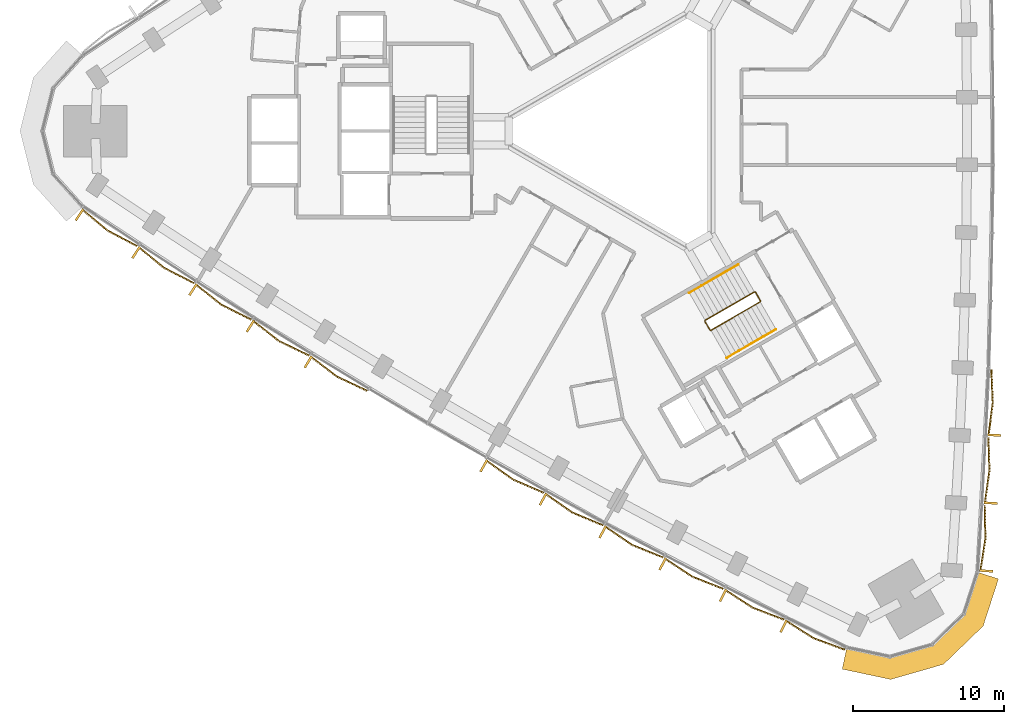
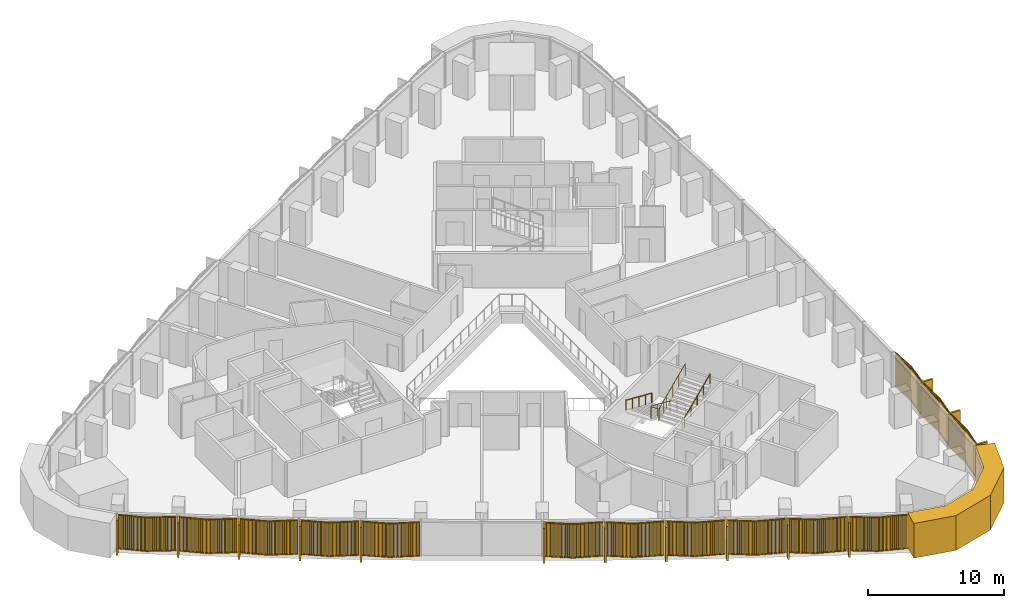
# One storey, part 13 of 15: 15 coverings, 3 railings.
"""IFC4 building model written with IfcOpenShell, lengths in metres."""

from ifc_helpers import new_model, si_unit, direction, frame, frame_2d, origin, origin_2d, place, context, subcontext, project, spatial, polyline, rectangle, circle, outline, extrude, source, transform, mapped, material, layer, layer_set, type_object, element, save


model = new_model("IFC4")

# Units and contexts
model_context = context("Model", 3, precision=1e-05, world=origin(), true_north=direction((0.0, 1.0)))
body_context = subcontext(model_context, "Body", "Model", "MODEL_VIEW")
ifc_project = project(units=[si_unit("LENGTHUNIT", "METRE"), si_unit("AREAUNIT", "SQUARE_METRE"), si_unit("VOLUMEUNIT", "CUBIC_METRE"), si_unit("PLANEANGLEUNIT", "RADIAN"), si_unit("MASSUNIT", "GRAM", prefix="KILO")], contexts=[model_context])

# Site, building, storey
site_placement = place(None, origin())
site = spatial("IfcSite", under=ifc_project, at=site_placement, CompositionType="ELEMENT")
building_placement = place(site_placement, origin())
building = spatial("IfcBuilding", under=site, at=building_placement, Name="Tamra Quay Hotel Tower", CompositionType="ELEMENT")
storey_placement = place(building_placement, frame((0.0, 0.0, 42.199951171875)))
storey = spatial("IfcBuildingStorey", under=building, at=storey_placement, Name="L08", CompositionType="ELEMENT", Elevation=42.199951171875)

# Covering
ifc_material_1 = material(Name="Precast concrete M60 terracotta-coloured", Category="masonry")
ifc_layer = layer(ifc_material_1, 1.449951171875)
ifc_layer_set = layer_set([ifc_layer], Name="CORNER PIER PANEL")
covering_type_1 = type_object("IfcCoveringType", Name="CORNER PIER PANEL", PredefinedType="CLADDING", material=ifc_layer_set)
covering_placement = place(storey_placement, origin())
element("IfcCovering", 1, at=covering_placement, inside=storey, type_object=covering_type_1, Name="Corner pier L08.south-west", PredefinedType="CLADDING", context=body_context, shape_type="SweptSolid", body=[
    extrude(outline(polyline([(13.948974609375, -34.148193359375), (13.6474609375, -35.56640625), (16.85205078125, -36.24755859375), (20.3486328125, -35.244873046875), (22.96533203125, -32.718017578125), (23.977783203125, -29.602294921875), (22.598876953125, -29.154296875), (21.697998046875, -31.926025390625), (19.601318359375, -33.95068359375), (16.7998046875, -34.754150390625), (13.948974609375, -34.148193359375)])), origin(), (0.0, 0.0, 1.0), 3.125),
])

# Railings
ifc_material_2 = material(Name="Stair guard 1100")
railing_type_1 = type_object("IfcRailingType", Name="Stair guard 1100", PredefinedType="GUARDRAIL", material=ifc_material_2)
railing_1_placement = place(storey_placement, frame((8.245849609375, -11.221923828125, 0.0)))
element("IfcRailing", 2, at=railing_1_placement, inside=storey, type_object=railing_type_1, Name="GR", PredefinedType="GUARDRAIL", context=body_context, shape_type="SweptSolid", body=[
    extrude(circle(Radius=0.02392578125, at=origin_2d()), frame((0.0, 0.0, 1.076171875), z_axis=(-0.500043078269, 0.866000531106, 0.0), x_axis=(-0.866000531106, -0.500043078269, 0.0)), (0.0, 0.0, 1.0), 0.6591796875),
    extrude(circle(Radius=0.02392578125, at=origin_2d()), frame((-0.32958984375, 0.57080078125, 1.076171875), z_axis=(-0.411831509231, 0.110312011401, 0.90455849349), x_axis=(-0.258736085224, -0.965948051503, 0.0)), (0.0, 0.0, 1.0), 0.166015625),
    extrude(circle(Radius=0.02392578125, at=origin_2d()), frame((-0.39794921875, 0.589111328125, 1.22607421875), z_axis=(-0.793100512587, -0.457912285461, 0.401631567183), x_axis=(0.500012686397, -0.866018079166, 0.0)), (0.0, 0.0, 1.0), 4.10791015625),
    extrude(circle(Radius=0.02392578125, at=origin_2d()), frame((-3.656005859375, -1.2919921875, 2.8759765625), z_axis=(-0.256368644879, -0.966579080015, 0.0), x_axis=(0.966579080015, -0.256368644879, 0.0)), (0.0, 0.0, 1.0), 0.070556640625),
    extrude(circle(Radius=0.02392578125, at=origin_2d()), frame((-3.674072265625, -1.360107421875, 2.8759765625), z_axis=(0.499765215335, -0.866160914346, 0.0), x_axis=(0.866160914346, 0.499765215335, 0.0)), (0.0, 0.0, 1.0), 0.658935546875),
    extrude(circle(Radius=0.02392578125, at=origin_2d()), frame((-3.3447265625, -1.930908203125, 2.8759765625), z_axis=(0.41238007866, -0.110458949641, 0.904290601062), x_axis=(0.258736085224, 0.965948051503, 0.0)), (0.0, 0.0, 1.0), 0.165771484375),
    extrude(circle(Radius=0.02392578125, at=origin_2d()), frame((-3.2763671875, -1.94921875, 3.02587890625), z_axis=(0.793081581205, 0.457901355053, 0.401681409319), x_axis=(-0.500012686397, 0.866018079166, 0.0)), (0.0, 0.0, 1.0), 4.108154296875),
    extrude(circle(Radius=0.02099609375, at=origin_2d()), origin(), (0.0, 0.0, 1.0), 1.052001953125),
    extrude(circle(Radius=0.02099609375, at=origin_2d()), frame((-0.32958984375, 0.57080078125, 0.0)), (0.0, 0.0, 1.0), 1.052001953125),
    extrude(circle(Radius=0.02099609375, at=origin_2d()), frame((-0.39794921875, 0.589111328125, 0.150146484375)), (0.0, 0.0, 1.0), 1.052001953125),
    extrude(circle(Radius=0.02099609375, at=origin_2d()), frame((-1.21240234375, 0.118896484375, 0.5625)), (0.0, 0.0, 1.0), 1.052001953125),
    extrude(circle(Radius=0.02099609375, at=origin_2d()), frame((-2.02685546875, -0.3515625, 0.97509765625)), (0.0, 0.0, 1.0), 1.052001953125),
    extrude(circle(Radius=0.02099609375, at=origin_2d()), frame((-2.841552734375, -0.82177734375, 1.3876953125)), (0.0, 0.0, 1.0), 1.052001953125),
    extrude(circle(Radius=0.02099609375, at=origin_2d()), frame((-3.656005859375, -1.2919921875, 1.800048828125)), (0.0, 0.0, 1.0), 1.052001953125),
    extrude(circle(Radius=0.02099609375, at=origin_2d()), frame((-3.674072265625, -1.360107421875, 1.800048828125)), (0.0, 0.0, 1.0), 1.052001953125),
    extrude(circle(Radius=0.02099609375, at=origin_2d()), frame((-3.3447265625, -1.930908203125, 1.800048828125)), (0.0, 0.0, 1.0), 1.052001953125),
    extrude(circle(Radius=0.02099609375, at=origin_2d()), frame((-3.2763671875, -1.94921875, 1.949951171875)), (0.0, 0.0, 1.0), 1.052001953125),
    extrude(circle(Radius=0.02099609375, at=origin_2d()), frame((-2.4619140625, -1.47900390625, 2.362548828125)), (0.0, 0.0, 1.0), 1.052001953125),
    extrude(circle(Radius=0.02099609375, at=origin_2d()), frame((-1.6474609375, -1.0087890625, 2.77490234375)), (0.0, 0.0, 1.0), 1.052001953125),
    extrude(circle(Radius=0.02099609375, at=origin_2d()), frame((-0.832763671875, -0.538330078125, 3.1875)), (0.0, 0.0, 1.0), 1.052001953125),
    extrude(circle(Radius=0.02099609375, at=origin_2d()), frame((-0.018310546875, -0.068115234375, 3.60009765625)), (0.0, 0.0, 1.0), 1.052001953125),
])
ifc_material_3 = material(Name="Stair handrail 900")
railing_type_2 = type_object("IfcRailingType", Name="Stair handrail 900", PredefinedType="HANDRAIL", material=ifc_material_3)
railing_2_placement = place(storey_placement, frame((6.7978515625, -8.814208984375, 0.150146484375)))
element("IfcRailing", 3, at=railing_2_placement, inside=storey, type_object=railing_type_2, Name="HR", PredefinedType="HANDRAIL", context=body_context, shape_type="SweptSolid", body=[
    extrude(circle(Radius=0.02392578125, at=origin_2d()), frame((0.0, 0.0, 0.8759765625), z_axis=(-0.79310004713, -0.457886897714, 0.401661429744), x_axis=(0.499992114976, -0.866029956157, 0.0)), (0.0, 0.0, 1.0), 4.107666015625),
    extrude(circle(Radius=0.02099609375, at=origin_2d()), origin(), (0.0, 0.0, 1.0), 0.851806640625),
    extrude(circle(Radius=0.02099609375, at=origin_2d()), frame((-0.814453125, -0.47021484375, 0.41259765625)), (0.0, 0.0, 1.0), 0.851806640625),
    extrude(circle(Radius=0.02099609375, at=origin_2d()), frame((-1.62890625, -0.9404296875, 0.824951171875)), (0.0, 0.0, 1.0), 0.851806640625),
    extrude(circle(Radius=0.02099609375, at=origin_2d()), frame((-2.443359375, -1.41064453125, 1.2373046875)), (0.0, 0.0, 1.0), 0.851806640625),
    extrude(circle(Radius=0.02099609375, at=origin_2d()), frame((-3.2578125, -1.880859375, 1.64990234375)), (0.0, 0.0, 1.0), 0.851806640625),
])
railing_3_placement = place(storey_placement, frame((6.01953125, -14.98974609375, 1.949951171875)))
element("IfcRailing", 4, at=railing_3_placement, inside=storey, type_object=railing_type_2, Name="HR", PredefinedType="HANDRAIL", context=body_context, shape_type="SweptSolid", body=[
    extrude(circle(Radius=0.02392578125, at=origin_2d()), frame((0.0, 0.0, 0.8759765625), z_axis=(0.793081112945, 0.457875966286, 0.40171127416), x_axis=(-0.499992114976, 0.866029956157, 0.0)), (0.0, 0.0, 1.0), 4.10791015625),
    extrude(circle(Radius=0.02099609375, at=origin_2d()), origin(), (0.0, 0.0, 1.0), 0.851806640625),
    extrude(circle(Radius=0.02099609375, at=origin_2d()), frame((0.814453125, 0.47021484375, 0.41259765625)), (0.0, 0.0, 1.0), 0.851806640625),
    extrude(circle(Radius=0.02099609375, at=origin_2d()), frame((1.62890625, 0.9404296875, 0.8251953125)), (0.0, 0.0, 1.0), 0.851806640625),
    extrude(circle(Radius=0.02099609375, at=origin_2d()), frame((2.443359375, 1.41064453125, 1.237548828125)), (0.0, 0.0, 1.0), 0.851806640625),
    extrude(circle(Radius=0.02099609375, at=origin_2d()), frame((3.2578125, 1.880859375, 1.650146484375)), (0.0, 0.0, 1.0), 0.851806640625),
])

# Coverings
ifc_material_4 = material(Name="Terracotta baguette extruded", Category="masonry")
covering_type_2 = type_object("IfcCoveringType", Name="BAGUETTE SCREEN E-V H3125", PredefinedType="USERDEFINED", material=ifc_material_4)
shared_shape_1 = source(origin(), body_context, "Body", "SweptSolid", [
    extrude(rectangle(XDim=2.2109375, YDim=0.06005859375, at=frame_2d((1.10546875, 0.030029296875))), frame((-2.207763671875, -0.057861328125, -0.1201171875), z_axis=(0.0, 0.0, 1.0), x_axis=(0.996194698092, -0.087155742748, 0.0)), (0.0, 0.0, 1.0), 0.1201171875),
    extrude(rectangle(XDim=2.2109375, YDim=0.06005859375, at=frame_2d((1.10546875, 0.030029296875))), frame((-2.207763671875, -0.057861328125, -3.125), z_axis=(0.0, 0.0, 1.0), x_axis=(0.996194698092, -0.087155742748, 0.0)), (0.0, 0.0, 1.0), 0.1201171875),
    extrude(rectangle(XDim=0.070068359375, YDim=0.10009765625, at=frame_2d((0.03515625, 0.050048828125))), frame((-2.1875, -0.13232421875, -3.06494140625)), (0.0, 0.0, 1.0), 3.0048828125),
    extrude(rectangle(XDim=0.070068359375, YDim=0.10009765625, at=frame_2d((0.03515625, 0.050048828125))), frame((-2.08740234375, -0.14111328125, -3.06494140625)), (0.0, 0.0, 1.0), 3.0048828125),
    extrude(rectangle(XDim=0.070068359375, YDim=0.10009765625, at=frame_2d((0.03515625, 0.050048828125))), frame((-1.9873046875, -0.14990234375, -3.06494140625)), (0.0, 0.0, 1.0), 3.0048828125),
    extrude(rectangle(XDim=0.070068359375, YDim=0.10009765625, at=frame_2d((0.03515625, 0.050048828125))), frame((-1.88720703125, -0.15869140625, -3.06494140625)), (0.0, 0.0, 1.0), 3.0048828125),
    extrude(rectangle(XDim=0.070068359375, YDim=0.10009765625, at=frame_2d((0.03515625, 0.050048828125))), frame((-1.787109375, -0.16748046875, -3.06494140625)), (0.0, 0.0, 1.0), 3.0048828125),
    extrude(rectangle(XDim=0.070068359375, YDim=0.10009765625, at=frame_2d((0.03515625, 0.050048828125))), frame((-1.686767578125, -0.17626953125, -3.06494140625)), (0.0, 0.0, 1.0), 3.0048828125),
    extrude(rectangle(XDim=0.070068359375, YDim=0.10009765625, at=frame_2d((0.03515625, 0.050048828125))), frame((-1.586669921875, -0.184814453125, -3.06494140625)), (0.0, 0.0, 1.0), 3.0048828125),
    extrude(rectangle(XDim=0.070068359375, YDim=0.10009765625, at=frame_2d((0.03515625, 0.050048828125))), frame((-1.486572265625, -0.193603515625, -3.06494140625)), (0.0, 0.0, 1.0), 3.0048828125),
    extrude(rectangle(XDim=0.070068359375, YDim=0.10009765625, at=frame_2d((0.03515625, 0.050048828125))), frame((-1.386474609375, -0.202392578125, -3.06494140625)), (0.0, 0.0, 1.0), 3.0048828125),
    extrude(rectangle(XDim=0.070068359375, YDim=0.10009765625, at=frame_2d((0.03515625, 0.050048828125))), frame((-1.286376953125, -0.211181640625, -3.06494140625)), (0.0, 0.0, 1.0), 3.0048828125),
    extrude(rectangle(XDim=0.070068359375, YDim=0.10009765625, at=frame_2d((0.03515625, 0.050048828125))), frame((-1.186279296875, -0.219970703125, -3.06494140625)), (0.0, 0.0, 1.0), 3.0048828125),
    extrude(rectangle(XDim=0.070068359375, YDim=0.10009765625, at=frame_2d((0.03515625, 0.050048828125))), frame((-1.086181640625, -0.228759765625, -3.06494140625)), (0.0, 0.0, 1.0), 3.0048828125),
    extrude(rectangle(XDim=0.070068359375, YDim=0.10009765625, at=frame_2d((0.03515625, 0.050048828125))), frame((-0.986083984375, -0.237548828125, -3.06494140625)), (0.0, 0.0, 1.0), 3.0048828125),
    extrude(rectangle(XDim=0.070068359375, YDim=0.10009765625, at=frame_2d((0.03515625, 0.050048828125))), frame((-0.885986328125, -0.246337890625, -3.06494140625)), (0.0, 0.0, 1.0), 3.0048828125),
    extrude(rectangle(XDim=0.070068359375, YDim=0.10009765625, at=frame_2d((0.03515625, 0.050048828125))), frame((-0.785888671875, -0.2548828125, -3.06494140625)), (0.0, 0.0, 1.0), 3.0048828125),
    extrude(rectangle(XDim=0.070068359375, YDim=0.10009765625, at=frame_2d((0.03515625, 0.050048828125))), frame((-0.685791015625, -0.263671875, -3.06494140625)), (0.0, 0.0, 1.0), 3.0048828125),
    extrude(rectangle(XDim=0.070068359375, YDim=0.10009765625, at=frame_2d((0.03515625, 0.050048828125))), frame((-0.585693359375, -0.2724609375, -3.06494140625)), (0.0, 0.0, 1.0), 3.0048828125),
    extrude(rectangle(XDim=0.070068359375, YDim=0.10009765625, at=frame_2d((0.03515625, 0.050048828125))), frame((-0.485595703125, -0.28125, -3.06494140625)), (0.0, 0.0, 1.0), 3.0048828125),
    extrude(rectangle(XDim=0.070068359375, YDim=0.10009765625, at=frame_2d((0.03515625, 0.050048828125))), frame((-0.385498046875, -0.2900390625, -3.06494140625)), (0.0, 0.0, 1.0), 3.0048828125),
    extrude(rectangle(XDim=0.070068359375, YDim=0.10009765625, at=frame_2d((0.03515625, 0.050048828125))), frame((-0.285400390625, -0.298828125, -3.06494140625)), (0.0, 0.0, 1.0), 3.0048828125),
    extrude(rectangle(XDim=0.070068359375, YDim=0.10009765625, at=frame_2d((0.03515625, 0.050048828125))), frame((-0.18505859375, -0.3076171875, -3.06494140625)), (0.0, 0.0, 1.0), 3.0048828125),
    extrude(rectangle(XDim=0.070068359375, YDim=0.10009765625, at=frame_2d((0.03515625, 0.050048828125))), frame((-0.0849609375, -0.31640625, -3.06494140625)), (0.0, 0.0, 1.0), 3.0048828125),
    extrude(rectangle(XDim=2.2109375, YDim=0.06005859375, at=frame_2d((1.10546875, 0.030029296875))), frame((0.005126953125, -0.25048828125, -0.1201171875), z_axis=(0.0, 0.0, 1.0), x_axis=(0.996194698092, 0.087155742748, 0.0)), (0.0, 0.0, 1.0), 0.1201171875),
    extrude(rectangle(XDim=2.2109375, YDim=0.06005859375, at=frame_2d((1.10546875, 0.030029296875))), frame((0.005126953125, -0.25048828125, -3.125), z_axis=(0.0, 0.0, 1.0), x_axis=(0.996194698092, 0.087155742748, 0.0)), (0.0, 0.0, 1.0), 0.1201171875),
    extrude(rectangle(XDim=0.070068359375, YDim=0.10009765625, at=frame_2d((0.03515625, 0.050048828125))), frame((0.01513671875, -0.31640625, -3.06494140625)), (0.0, 0.0, 1.0), 3.0048828125),
    extrude(rectangle(XDim=0.070068359375, YDim=0.10009765625, at=frame_2d((0.03515625, 0.050048828125))), frame((0.115234375, -0.3076171875, -3.06494140625)), (0.0, 0.0, 1.0), 3.0048828125),
    extrude(rectangle(XDim=0.070068359375, YDim=0.10009765625, at=frame_2d((0.03515625, 0.050048828125))), frame((0.21533203125, -0.298828125, -3.06494140625)), (0.0, 0.0, 1.0), 3.0048828125),
    extrude(rectangle(XDim=0.070068359375, YDim=0.10009765625, at=frame_2d((0.03515625, 0.050048828125))), frame((0.3154296875, -0.2900390625, -3.06494140625)), (0.0, 0.0, 1.0), 3.0048828125),
    extrude(rectangle(XDim=0.070068359375, YDim=0.10009765625, at=frame_2d((0.03515625, 0.050048828125))), frame((0.41552734375, -0.28125, -3.06494140625)), (0.0, 0.0, 1.0), 3.0048828125),
    extrude(rectangle(XDim=0.070068359375, YDim=0.10009765625, at=frame_2d((0.03515625, 0.050048828125))), frame((0.515625, -0.2724609375, -3.06494140625)), (0.0, 0.0, 1.0), 3.0048828125),
    extrude(rectangle(XDim=0.070068359375, YDim=0.10009765625, at=frame_2d((0.03515625, 0.050048828125))), frame((0.61572265625, -0.263671875, -3.06494140625)), (0.0, 0.0, 1.0), 3.0048828125),
    extrude(rectangle(XDim=0.070068359375, YDim=0.10009765625, at=frame_2d((0.03515625, 0.050048828125))), frame((0.7158203125, -0.2548828125, -3.06494140625)), (0.0, 0.0, 1.0), 3.0048828125),
    extrude(rectangle(XDim=0.070068359375, YDim=0.10009765625, at=frame_2d((0.03515625, 0.050048828125))), frame((0.81591796875, -0.246337890625, -3.06494140625)), (0.0, 0.0, 1.0), 3.0048828125),
    extrude(rectangle(XDim=0.070068359375, YDim=0.10009765625, at=frame_2d((0.03515625, 0.050048828125))), frame((0.916015625, -0.237548828125, -3.06494140625)), (0.0, 0.0, 1.0), 3.0048828125),
    extrude(rectangle(XDim=0.070068359375, YDim=0.10009765625, at=frame_2d((0.03515625, 0.050048828125))), frame((1.01611328125, -0.228759765625, -3.06494140625)), (0.0, 0.0, 1.0), 3.0048828125),
    extrude(rectangle(XDim=0.070068359375, YDim=0.10009765625, at=frame_2d((0.03515625, 0.050048828125))), frame((1.1162109375, -0.219970703125, -3.06494140625)), (0.0, 0.0, 1.0), 3.0048828125),
    extrude(rectangle(XDim=0.070068359375, YDim=0.10009765625, at=frame_2d((0.03515625, 0.050048828125))), frame((1.21630859375, -0.211181640625, -3.06494140625)), (0.0, 0.0, 1.0), 3.0048828125),
    extrude(rectangle(XDim=0.070068359375, YDim=0.10009765625, at=frame_2d((0.03515625, 0.050048828125))), frame((1.316650390625, -0.202392578125, -3.06494140625)), (0.0, 0.0, 1.0), 3.0048828125),
    extrude(rectangle(XDim=0.070068359375, YDim=0.10009765625, at=frame_2d((0.03515625, 0.050048828125))), frame((1.416748046875, -0.193603515625, -3.06494140625)), (0.0, 0.0, 1.0), 3.0048828125),
    extrude(rectangle(XDim=0.070068359375, YDim=0.10009765625, at=frame_2d((0.03515625, 0.050048828125))), frame((1.516845703125, -0.184814453125, -3.06494140625)), (0.0, 0.0, 1.0), 3.0048828125),
    extrude(rectangle(XDim=0.070068359375, YDim=0.10009765625, at=frame_2d((0.03515625, 0.050048828125))), frame((1.616943359375, -0.17626953125, -3.06494140625)), (0.0, 0.0, 1.0), 3.0048828125),
    extrude(rectangle(XDim=0.070068359375, YDim=0.10009765625, at=frame_2d((0.03515625, 0.050048828125))), frame((1.717041015625, -0.16748046875, -3.06494140625)), (0.0, 0.0, 1.0), 3.0048828125),
    extrude(rectangle(XDim=0.070068359375, YDim=0.10009765625, at=frame_2d((0.03515625, 0.050048828125))), frame((1.817138671875, -0.15869140625, -3.06494140625)), (0.0, 0.0, 1.0), 3.0048828125),
    extrude(rectangle(XDim=0.070068359375, YDim=0.10009765625, at=frame_2d((0.03515625, 0.050048828125))), frame((1.917236328125, -0.14990234375, -3.06494140625)), (0.0, 0.0, 1.0), 3.0048828125),
    extrude(rectangle(XDim=0.070068359375, YDim=0.10009765625, at=frame_2d((0.03515625, 0.050048828125))), frame((2.017333984375, -0.14111328125, -3.06494140625)), (0.0, 0.0, 1.0), 3.0048828125),
    extrude(rectangle(XDim=0.070068359375, YDim=0.10009765625, at=frame_2d((0.03515625, 0.050048828125))), frame((2.117431640625, -0.13232421875, -3.06494140625)), (0.0, 0.0, 1.0), 3.0048828125),
    extrude(rectangle(XDim=0.14990234375, YDim=0.902099609375, at=frame_2d((0.074951171875, 0.451171875))), frame((-2.202392578125, -0.89990234375, -3.125)), (0.0, 0.0, 1.0), 3.125),
])
for number, where, z_axis, x_axis, name in (
    (5, (22.862060546875, -26.92236328125, 3.125), (0.0, 0.0, 1.0), (0.064813190551, 0.997897414733, 0.0), "Baguette screen L08.E.f00"),
    (6, (23.12890625, -22.440185546875, 3.125), (0.0, 0.0, 1.0), (0.054062166947, 0.998537571704, 0.0), "Baguette screen L08.E.f01"),
    (7, (23.347412109375, -17.955078125, 3.125), (0.0, 0.0, 1.0), (0.04328585604, 0.999062728094, 0.0), "Baguette screen L08.E.f02"),
):
    element("IfcCovering", number, at=place(storey_placement, frame(where, z_axis=z_axis, x_axis=x_axis)), inside=storey, type_object=covering_type_2, Name=name, ObjectType="BAGUETTE SCREEN", PredefinedType="USERDEFINED", context=body_context, shape_type="MappedRepresentation", body=[
        mapped(shared_shape_1, transform((0.0, 0.0, 0.0), scale=1.0)),
    ])
covering_type_3 = type_object("IfcCoveringType", Name="BAGUETTE SCREEN SW-V H3125", PredefinedType="USERDEFINED", material=ifc_material_4)
shared_shape_2 = source(origin(), body_context, "Body", "SweptSolid", [
    extrude(rectangle(XDim=2.214599609375, YDim=0.06005859375, at=frame_2d((1.107421875, 0.030029296875))), frame((-2.208740234375, -0.0576171875, -0.1201171875), z_axis=(0.0, 0.0, 1.0), x_axis=(0.994521895368, -0.104528463268, 0.0)), (0.0, 0.0, 1.0), 0.1201171875),
    extrude(rectangle(XDim=2.214599609375, YDim=0.06005859375, at=frame_2d((1.107421875, 0.030029296875))), frame((-2.208740234375, -0.0576171875, -3.125), z_axis=(0.0, 0.0, 1.0), x_axis=(0.994521895368, -0.104528463268, 0.0)), (0.0, 0.0, 1.0), 0.1201171875),
    extrude(rectangle(XDim=0.070068359375, YDim=0.10009765625, at=frame_2d((0.03515625, 0.050048828125))), frame((-2.1875, -0.13330078125, -3.06494140625)), (0.0, 0.0, 1.0), 3.0048828125),
    extrude(rectangle(XDim=0.070068359375, YDim=0.10009765625, at=frame_2d((0.03515625, 0.050048828125))), frame((-2.08740234375, -0.143798828125, -3.06494140625)), (0.0, 0.0, 1.0), 3.0048828125),
    extrude(rectangle(XDim=0.070068359375, YDim=0.10009765625, at=frame_2d((0.03515625, 0.050048828125))), frame((-1.9873046875, -0.154296875, -3.06494140625)), (0.0, 0.0, 1.0), 3.0048828125),
    extrude(rectangle(XDim=0.070068359375, YDim=0.10009765625, at=frame_2d((0.03515625, 0.050048828125))), frame((-1.88720703125, -0.164794921875, -3.06494140625)), (0.0, 0.0, 1.0), 3.0048828125),
    extrude(rectangle(XDim=0.070068359375, YDim=0.10009765625, at=frame_2d((0.03515625, 0.050048828125))), frame((-1.787109375, -0.17529296875, -3.06494140625)), (0.0, 0.0, 1.0), 3.0048828125),
    extrude(rectangle(XDim=0.070068359375, YDim=0.10009765625, at=frame_2d((0.03515625, 0.050048828125))), frame((-1.686767578125, -0.185791015625, -3.06494140625)), (0.0, 0.0, 1.0), 3.0048828125),
    extrude(rectangle(XDim=0.070068359375, YDim=0.10009765625, at=frame_2d((0.03515625, 0.050048828125))), frame((-1.586669921875, -0.1962890625, -3.06494140625)), (0.0, 0.0, 1.0), 3.0048828125),
    extrude(rectangle(XDim=0.070068359375, YDim=0.10009765625, at=frame_2d((0.03515625, 0.050048828125))), frame((-1.486572265625, -0.20703125, -3.06494140625)), (0.0, 0.0, 1.0), 3.0048828125),
    extrude(rectangle(XDim=0.070068359375, YDim=0.10009765625, at=frame_2d((0.03515625, 0.050048828125))), frame((-1.386474609375, -0.217529296875, -3.06494140625)), (0.0, 0.0, 1.0), 3.0048828125),
    extrude(rectangle(XDim=0.070068359375, YDim=0.10009765625, at=frame_2d((0.03515625, 0.050048828125))), frame((-1.286376953125, -0.22802734375, -3.06494140625)), (0.0, 0.0, 1.0), 3.0048828125),
    extrude(rectangle(XDim=0.070068359375, YDim=0.10009765625, at=frame_2d((0.03515625, 0.050048828125))), frame((-1.186279296875, -0.238525390625, -3.06494140625)), (0.0, 0.0, 1.0), 3.0048828125),
    extrude(rectangle(XDim=0.070068359375, YDim=0.10009765625, at=frame_2d((0.03515625, 0.050048828125))), frame((-1.086181640625, -0.2490234375, -3.06494140625)), (0.0, 0.0, 1.0), 3.0048828125),
    extrude(rectangle(XDim=0.070068359375, YDim=0.10009765625, at=frame_2d((0.03515625, 0.050048828125))), frame((-0.986083984375, -0.259521484375, -3.06494140625)), (0.0, 0.0, 1.0), 3.0048828125),
    extrude(rectangle(XDim=0.070068359375, YDim=0.10009765625, at=frame_2d((0.03515625, 0.050048828125))), frame((-0.885986328125, -0.27001953125, -3.06494140625)), (0.0, 0.0, 1.0), 3.0048828125),
    extrude(rectangle(XDim=0.070068359375, YDim=0.10009765625, at=frame_2d((0.03515625, 0.050048828125))), frame((-0.785888671875, -0.280517578125, -3.06494140625)), (0.0, 0.0, 1.0), 3.0048828125),
    extrude(rectangle(XDim=0.070068359375, YDim=0.10009765625, at=frame_2d((0.03515625, 0.050048828125))), frame((-0.685791015625, -0.291015625, -3.06494140625)), (0.0, 0.0, 1.0), 3.0048828125),
    extrude(rectangle(XDim=0.070068359375, YDim=0.10009765625, at=frame_2d((0.03515625, 0.050048828125))), frame((-0.585693359375, -0.301513671875, -3.06494140625)), (0.0, 0.0, 1.0), 3.0048828125),
    extrude(rectangle(XDim=0.070068359375, YDim=0.10009765625, at=frame_2d((0.03515625, 0.050048828125))), frame((-0.485595703125, -0.312255859375, -3.06494140625)), (0.0, 0.0, 1.0), 3.0048828125),
    extrude(rectangle(XDim=0.070068359375, YDim=0.10009765625, at=frame_2d((0.03515625, 0.050048828125))), frame((-0.385498046875, -0.32275390625, -3.06494140625)), (0.0, 0.0, 1.0), 3.0048828125),
    extrude(rectangle(XDim=0.070068359375, YDim=0.10009765625, at=frame_2d((0.03515625, 0.050048828125))), frame((-0.285400390625, -0.333251953125, -3.06494140625)), (0.0, 0.0, 1.0), 3.0048828125),
    extrude(rectangle(XDim=0.070068359375, YDim=0.10009765625, at=frame_2d((0.03515625, 0.050048828125))), frame((-0.18505859375, -0.34375, -3.06494140625)), (0.0, 0.0, 1.0), 3.0048828125),
    extrude(rectangle(XDim=0.070068359375, YDim=0.10009765625, at=frame_2d((0.03515625, 0.050048828125))), frame((-0.0849609375, -0.354248046875, -3.06494140625)), (0.0, 0.0, 1.0), 3.0048828125),
    extrude(rectangle(XDim=2.214599609375, YDim=0.06005859375, at=frame_2d((1.107421875, 0.030029296875))), frame((0.00634765625, -0.2890625, -0.1201171875), z_axis=(0.0, 0.0, 1.0), x_axis=(0.994521895368, 0.104528463268, 0.0)), (0.0, 0.0, 1.0), 0.1201171875),
    extrude(rectangle(XDim=2.214599609375, YDim=0.06005859375, at=frame_2d((1.107421875, 0.030029296875))), frame((0.00634765625, -0.2890625, -3.125), z_axis=(0.0, 0.0, 1.0), x_axis=(0.994521895368, 0.104528463268, 0.0)), (0.0, 0.0, 1.0), 0.1201171875),
    extrude(rectangle(XDim=0.070068359375, YDim=0.10009765625, at=frame_2d((0.03515625, 0.050048828125))), frame((0.01513671875, -0.354248046875, -3.06494140625)), (0.0, 0.0, 1.0), 3.0048828125),
    extrude(rectangle(XDim=0.070068359375, YDim=0.10009765625, at=frame_2d((0.03515625, 0.050048828125))), frame((0.115234375, -0.34375, -3.06494140625)), (0.0, 0.0, 1.0), 3.0048828125),
    extrude(rectangle(XDim=0.070068359375, YDim=0.10009765625, at=frame_2d((0.03515625, 0.050048828125))), frame((0.21533203125, -0.333251953125, -3.06494140625)), (0.0, 0.0, 1.0), 3.0048828125),
    extrude(rectangle(XDim=0.070068359375, YDim=0.10009765625, at=frame_2d((0.03515625, 0.050048828125))), frame((0.3154296875, -0.32275390625, -3.06494140625)), (0.0, 0.0, 1.0), 3.0048828125),
    extrude(rectangle(XDim=0.070068359375, YDim=0.10009765625, at=frame_2d((0.03515625, 0.050048828125))), frame((0.41552734375, -0.312255859375, -3.06494140625)), (0.0, 0.0, 1.0), 3.0048828125),
    extrude(rectangle(XDim=0.070068359375, YDim=0.10009765625, at=frame_2d((0.03515625, 0.050048828125))), frame((0.515625, -0.301513671875, -3.06494140625)), (0.0, 0.0, 1.0), 3.0048828125),
    extrude(rectangle(XDim=0.070068359375, YDim=0.10009765625, at=frame_2d((0.03515625, 0.050048828125))), frame((0.61572265625, -0.291015625, -3.06494140625)), (0.0, 0.0, 1.0), 3.0048828125),
    extrude(rectangle(XDim=0.070068359375, YDim=0.10009765625, at=frame_2d((0.03515625, 0.050048828125))), frame((0.7158203125, -0.280517578125, -3.06494140625)), (0.0, 0.0, 1.0), 3.0048828125),
    extrude(rectangle(XDim=0.070068359375, YDim=0.10009765625, at=frame_2d((0.03515625, 0.050048828125))), frame((0.81591796875, -0.27001953125, -3.06494140625)), (0.0, 0.0, 1.0), 3.0048828125),
    extrude(rectangle(XDim=0.070068359375, YDim=0.10009765625, at=frame_2d((0.03515625, 0.050048828125))), frame((0.916015625, -0.259521484375, -3.06494140625)), (0.0, 0.0, 1.0), 3.0048828125),
    extrude(rectangle(XDim=0.070068359375, YDim=0.10009765625, at=frame_2d((0.03515625, 0.050048828125))), frame((1.01611328125, -0.2490234375, -3.06494140625)), (0.0, 0.0, 1.0), 3.0048828125),
    extrude(rectangle(XDim=0.070068359375, YDim=0.10009765625, at=frame_2d((0.03515625, 0.050048828125))), frame((1.1162109375, -0.238525390625, -3.06494140625)), (0.0, 0.0, 1.0), 3.0048828125),
    extrude(rectangle(XDim=0.070068359375, YDim=0.10009765625, at=frame_2d((0.03515625, 0.050048828125))), frame((1.21630859375, -0.22802734375, -3.06494140625)), (0.0, 0.0, 1.0), 3.0048828125),
    extrude(rectangle(XDim=0.070068359375, YDim=0.10009765625, at=frame_2d((0.03515625, 0.050048828125))), frame((1.316650390625, -0.217529296875, -3.06494140625)), (0.0, 0.0, 1.0), 3.0048828125),
    extrude(rectangle(XDim=0.070068359375, YDim=0.10009765625, at=frame_2d((0.03515625, 0.050048828125))), frame((1.416748046875, -0.20703125, -3.06494140625)), (0.0, 0.0, 1.0), 3.0048828125),
    extrude(rectangle(XDim=0.070068359375, YDim=0.10009765625, at=frame_2d((0.03515625, 0.050048828125))), frame((1.516845703125, -0.1962890625, -3.06494140625)), (0.0, 0.0, 1.0), 3.0048828125),
    extrude(rectangle(XDim=0.070068359375, YDim=0.10009765625, at=frame_2d((0.03515625, 0.050048828125))), frame((1.616943359375, -0.185791015625, -3.06494140625)), (0.0, 0.0, 1.0), 3.0048828125),
    extrude(rectangle(XDim=0.070068359375, YDim=0.10009765625, at=frame_2d((0.03515625, 0.050048828125))), frame((1.717041015625, -0.17529296875, -3.06494140625)), (0.0, 0.0, 1.0), 3.0048828125),
    extrude(rectangle(XDim=0.070068359375, YDim=0.10009765625, at=frame_2d((0.03515625, 0.050048828125))), frame((1.817138671875, -0.164794921875, -3.06494140625)), (0.0, 0.0, 1.0), 3.0048828125),
    extrude(rectangle(XDim=0.070068359375, YDim=0.10009765625, at=frame_2d((0.03515625, 0.050048828125))), frame((1.917236328125, -0.154296875, -3.06494140625)), (0.0, 0.0, 1.0), 3.0048828125),
    extrude(rectangle(XDim=0.070068359375, YDim=0.10009765625, at=frame_2d((0.03515625, 0.050048828125))), frame((2.017333984375, -0.143798828125, -3.06494140625)), (0.0, 0.0, 1.0), 3.0048828125),
    extrude(rectangle(XDim=0.070068359375, YDim=0.10009765625, at=frame_2d((0.03515625, 0.050048828125))), frame((2.117431640625, -0.13330078125, -3.06494140625)), (0.0, 0.0, 1.0), 3.0048828125),
    extrude(rectangle(XDim=0.14990234375, YDim=0.902099609375, at=frame_2d((0.074951171875, 0.451171875))), frame((-2.202392578125, -0.89990234375, -3.125)), (0.0, 0.0, 1.0), 3.125),
])
for number, where, z_axis, x_axis, name in (
    (8, (-34.74658203125, -6.337890625, 3.125), (0.0, 0.0, 1.0), (0.831797916254, -0.555078576884, 0.0), "Baguette screen L08.SW.f00"),
    (9, (-30.998291015625, -8.81005859375, 3.125), (0.0, 0.0, 1.0), (0.837727820256, -0.546087995811, 0.0), "Baguette screen L08.SW.f01"),
    (10, (-27.223388671875, -11.241943359375, 3.125), (0.0, 0.0, 1.0), (0.843570774484, -0.537018015002, 0.0), "Baguette screen L08.SW.f02"),
    (11, (-23.4228515625, -13.632568359375, 3.125), (0.0, 0.0, 1.0), (0.849331290722, -0.527860169552, 0.0), "Baguette screen L08.SW.f03"),
    (12, (-19.59619140625, -15.982177734375, 3.125), (0.0, 0.0, 1.0), (0.854993446708, -0.518638801177, 0.0), "Baguette screen L08.SW.f04"),
    (13, (-7.967529296875, -22.780029296875, 3.125), (0.0, 0.0, 1.0), (0.871392732178, -0.490586084502, 0.0), "Baguette screen L08.SW.f07"),
    (14, (-4.04296875, -24.9619140625, 3.125), (0.0, 0.0, 1.0), (0.876651100562, -0.48112664433, 0.0), "Baguette screen L08.SW.f08"),
    (15, (-0.0947265625, -27.10107421875, 3.125), (0.0, 0.0, 1.0), (0.88180596184, -0.471612389218, 0.0), "Baguette screen L08.SW.f09"),
    (16, (3.8759765625, -29.197021484375, 3.125), (0.0, 0.0, 1.0), (0.886856630524, -0.462044713092, 0.0), "Baguette screen L08.SW.f10"),
    (17, (7.869384765625, -31.250244140625, 3.125), (0.0, 0.0, 1.0), (0.891789987202, -0.452449575893, 0.0), "Baguette screen L08.SW.f11"),
    (18, (11.884521484375, -33.26025390625, 3.125), (0.0, 0.0, 1.0), (0.896611106805, -0.442818837849, 0.0), "Baguette screen L08.SW.f12"),
):
    element("IfcCovering", number, at=place(storey_placement, frame(where, z_axis=z_axis, x_axis=x_axis)), inside=storey, type_object=covering_type_3, Name=name, ObjectType="BAGUETTE SCREEN", PredefinedType="USERDEFINED", context=body_context, shape_type="MappedRepresentation", body=[
        mapped(shared_shape_2, transform((0.0, 0.0, 0.0), scale=1.0)),
    ])

save(model, "model.ifc")
